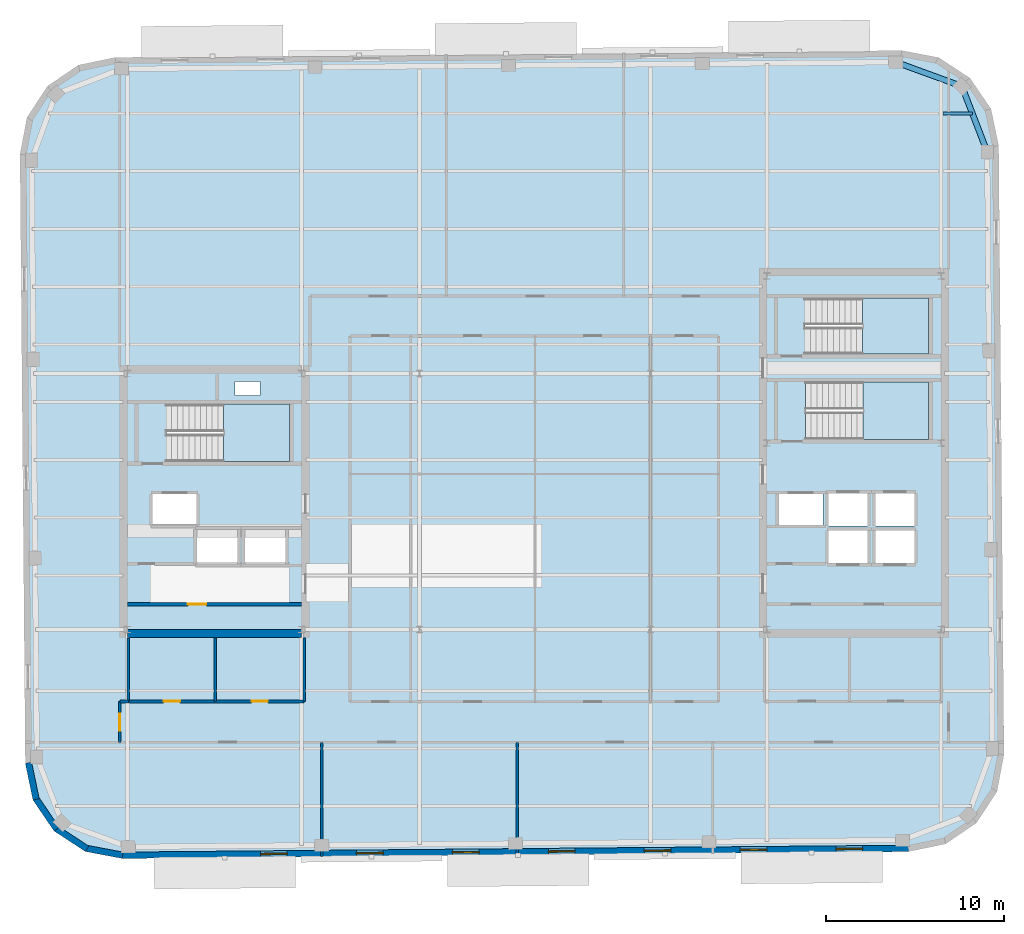
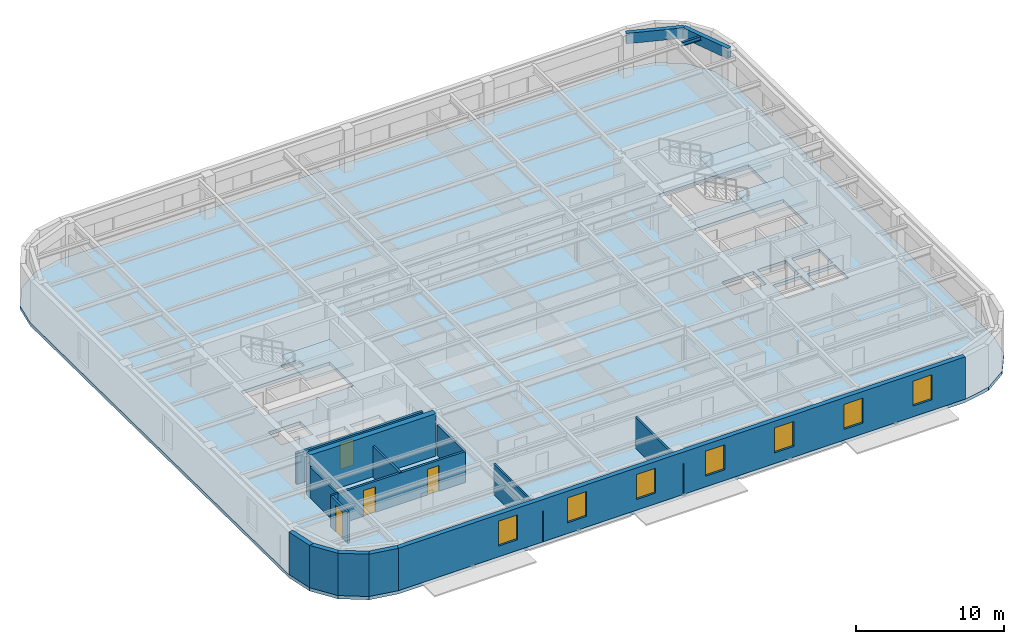
# One storey, part 6 of 14: 15 walls, 7 windows, 4 doors, 4 slabs, 3 beams, 11 openings, 3 elements without a shape of their own.
"""IFC4 building model written with IfcOpenShell, lengths in metres."""

from ifc_helpers import new_model, si_unit, direction, frame, frame_2d, origin, origin_2d, place, context, subcontext, project, spatial, polyline, rectangle, hollow_rectangle, i_section, outline, extrude, material, layer, layer_set, material_profile, profile_set, type_object, element, fill, aggregate, save


model = new_model("IFC4")

# Units and contexts
model_context = context("Model", 3, precision=1e-05, world=origin(), true_north=direction((0.0, 1.0)))
body_context = subcontext(model_context, "Body", "Model", "MODEL_VIEW")
ifc_project = project(units=[si_unit("LENGTHUNIT", "METRE"), si_unit("AREAUNIT", "SQUARE_METRE"), si_unit("VOLUMEUNIT", "CUBIC_METRE"), si_unit("PLANEANGLEUNIT", "RADIAN"), si_unit("MASSUNIT", "GRAM", prefix="KILO")], contexts=[model_context])

# Site, building, storey
site_placement = place(None, origin())
site = spatial("IfcSite", under=ifc_project, at=site_placement, CompositionType="ELEMENT")
building_placement = place(site_placement, origin())
building = spatial("IfcBuilding", under=site, at=building_placement, Name="Kolvaren Arena Tower", CompositionType="ELEMENT")
storey_placement = place(building_placement, frame((0.0, 0.0, 289.89990234375)))
storey = spatial("IfcBuildingStorey", under=building, at=storey_placement, Name="L71", CompositionType="ELEMENT", Elevation=289.89990234375)

# Beams
ifc_material_1 = material(Name="Steel CSA G40.21 350W", Category="steel")
ifc_material_profile_1 = material_profile(ifc_material_1, i_section(OverallWidth=0.1669921875, OverallDepth=0.31689453125, WebThickness=0.007568359375, FlangeThickness=0.01318359375, FilletRadius=0.010009765625, at=origin_2d()), Name="W310x52")
ifc_profile_set_1 = profile_set([ifc_material_profile_1], Name="Steel CSA G40.21 350W")
beam_type_1 = type_object("IfcBeamType", Name="JOIST-02", PredefinedType="JOIST", material=ifc_profile_set_1)
beam_placement = place(storey_placement, frame((60.464111328125, 48.5, 3.321533203125), z_axis=(1.0, 0.0, 0.0), x_axis=(0.0, 1.0, 0.0)))
element("IfcBeam", 1, at=beam_placement, inside=storey, type_object=beam_type_1, Name="Composite Floor Joist (L71)", PredefinedType="JOIST", context=body_context, shape_type="SweptSolid", body=[
    extrude(i_section(OverallWidth=0.1669921875, OverallDepth=0.31689453125, WebThickness=0.007568359375, FlangeThickness=0.01318359375, FilletRadius=0.010009765625, at=origin_2d()), origin(), (0.0, 0.0, 1.0), 1.654296875),
])
ifc_material_2 = material(Name="Steel CSA G40.21 350WT", Category="steel")
ifc_material_profile_2 = material_profile(ifc_material_2, hollow_rectangle(XDim=0.320068359375, YDim=0.860107421875, WallThickness=0.01806640625, at=origin_2d()), Name="HSS 860x320x18")
ifc_profile_set_2 = profile_set([ifc_material_profile_2], Name="Steel CSA G40.21 350WT")
beam_type_2 = type_object("IfcBeamType", Name="SPAND-02", PredefinedType="SPANDREL", material=ifc_profile_set_2)
for number, where, z_axis, x_axis, name in (
    (2, (62.952392578125, 46.333984375, 3.050048828125), (-0.359383792094, 0.933189846698, 0.0), (-0.933189846698, -0.359383792094, 0.0), "Perimeter Spandrel Beam (L71)"),
    (3, (61.52880859375, 50.030517578125, 3.050048828125), (-0.939313819882, 0.343059102458, 0.0), (-0.343059102458, -0.939313819882, 0.0), "Perimeter Spandrel Beam (L71)"),
):
    element("IfcBeam", number, at=place(storey_placement, frame(where, z_axis=z_axis, x_axis=x_axis)), inside=storey, type_object=beam_type_2, Name=name, PredefinedType="SPANDREL", context=body_context, shape_type="SweptSolid", body=[
        extrude(hollow_rectangle(XDim=0.320068359375, YDim=0.860107421875, WallThickness=0.01806640625, at=origin_2d()), origin(), (0.0, 0.0, 1.0), 3.961181640625),
    ])

# Stair, slab
ifc_material_3 = material(Name="Concrete 45 MPa", Category="concrete")
stair_type_1 = type_object("IfcStairType", Name="STAIR-CORE-165", PredefinedType="HALF_TURN_STAIR", material=ifc_material_3)
stair_1_placement = place(storey_placement, origin())
stair_1 = element("IfcStair", 4, at=stair_1_placement, inside=storey, type_object=stair_type_1, Name="L71 ST-W1", PredefinedType="HALF_TURN_STAIR")
ifc_layer_1 = layer(ifc_material_3, 0.199951171875)
ifc_layer_set_1 = layer_set([ifc_layer_1], Name="Concrete 45 MPa")
slab_type_1 = type_object("IfcSlabType", Name="SLAB-LAND", PredefinedType="LANDING", material=ifc_layer_set_1)
slab_1_placement = place(storey_placement, frame((0.0, 0.0, 1.675048828125)))
slab_1 = element("IfcSlab", 5, at=slab_1_placement, type_object=slab_type_1, Name="ST-W1 landing 1", PredefinedType="LANDING", context=body_context, shape_type="SweptSolid", body=[
    extrude(outline(polyline([(19.9599609375, 28.89990234375), (23.659912109375, 28.89990234375), (23.659912109375, 32.1298828125), (19.9599609375, 32.1298828125), (19.9599609375, 28.89990234375)])), origin(), (0.0, 0.0, 1.0), 0.199951171875),
])
aggregate(stair_1, [slab_1])

stair_2_placement = place(storey_placement, origin())
stair_2 = element("IfcStair", 6, at=stair_2_placement, inside=storey, type_object=stair_type_1, Name="L71 ST-E1", PredefinedType="HALF_TURN_STAIR")
slab_2_placement = place(storey_placement, frame((0.0, 0.0, 1.675048828125)))
slab_2 = element("IfcSlab", 7, at=slab_2_placement, type_object=slab_type_1, Name="ST-E1 landing 1", PredefinedType="LANDING", context=body_context, shape_type="SweptSolid", body=[
    extrude(outline(polyline([(55.9599609375, 30.14990234375), (59.659912109375, 30.14990234375), (59.659912109375, 33.3798828125), (55.9599609375, 33.3798828125), (55.9599609375, 30.14990234375)])), origin(), (0.0, 0.0, 1.0), 0.199951171875),
])
aggregate(stair_2, [slab_2])

stair_type_2 = type_object("IfcStairType", Name="STAIR-CORE-150", PredefinedType="HALF_TURN_STAIR", material=ifc_material_3)
stair_3_placement = place(storey_placement, origin())
stair_3 = element("IfcStair", 8, at=stair_3_placement, inside=storey, type_object=stair_type_2, Name="L71 ST-E2", PredefinedType="HALF_TURN_STAIR")
slab_3_placement = place(storey_placement, frame((0.0, 0.0, 1.675048828125)))
slab_3 = element("IfcSlab", 9, at=slab_3_placement, type_object=slab_type_1, Name="ST-E2 landing 1", PredefinedType="LANDING", context=body_context, shape_type="SweptSolid", body=[
    extrude(outline(polyline([(55.919921875, 34.949951171875), (59.659912109375, 34.949951171875), (59.659912109375, 38.10009765625), (55.919921875, 38.10009765625), (55.919921875, 34.949951171875)])), origin(), (0.0, 0.0, 1.0), 0.199951171875),
])
aggregate(stair_3, [slab_3])

# Slab
ifc_layer_2 = layer(ifc_material_3, 0.27001953125)
ifc_layer_set_2 = layer_set([ifc_layer_2], Name="Concrete 45 MPa")
slab_type_2 = type_object("IfcSlabType", Name="SLAB-OFF2", PredefinedType="FLOOR", material=ifc_layer_set_2)
slab_4_placement = place(storey_placement, frame((0.0, 0.0, -0.27001953125)))
element("IfcSlab", 10, at=slab_4_placement, inside=storey, type_object=slab_type_2, Name="L71 Primary Structural Slab", PredefinedType="FLOOR", context=body_context, shape_type="SweptSolid", body=[
    extrude(outline(polyline([(58.5458984375, 6.944091796875), (60.60888671875, 7.373291015625), (62.350341796875, 8.55908203125), (63.505615234375, 10.321044921875), (63.898681640625, 12.39111328125), (63.599365234375, 46.689697265625), (63.170166015625, 48.752685546875), (61.984375, 50.494140625), (60.222412109375, 51.6494140625), (58.15234375, 52.04248046875), (13.85400390625, 51.65576171875), (11.791259765625, 51.226806640625), (10.049560546875, 50.041015625), (8.894287109375, 48.27880859375), (8.50146484375, 46.208984375), (8.80078125, 11.91015625), (9.229736328125, 9.847412109375), (10.41552734375, 8.105712890625), (12.177490234375, 6.95068359375), (14.24755859375, 6.5576171875), (58.5458984375, 6.944091796875)]), holes=[polyline([(20.739990234375, 23.135009765625), (18.4599609375, 23.135009765625), (18.4599609375, 25.06494140625), (20.739990234375, 25.06494140625), (20.739990234375, 23.135009765625)]), polyline([(21.159912109375, 23.135009765625), (21.159912109375, 25.06494140625), (23.43994140625, 25.06494140625), (23.43994140625, 23.135009765625), (21.159912109375, 23.135009765625)]), polyline([(56.2099609375, 23.18505859375), (54.030029296875, 23.18505859375), (54.030029296875, 25.014892578125), (56.2099609375, 25.014892578125), (56.2099609375, 23.18505859375)]), polyline([(56.669921875, 23.18505859375), (56.669921875, 25.014892578125), (58.85009765625, 25.014892578125), (58.85009765625, 23.18505859375), (56.669921875, 23.18505859375)]), polyline([(54.030029296875, 25.284912109375), (54.030029296875, 27.114990234375), (56.2099609375, 27.114990234375), (56.2099609375, 25.284912109375), (54.030029296875, 25.284912109375)]), polyline([(58.85009765625, 25.284912109375), (56.669921875, 25.284912109375), (56.669921875, 27.114990234375), (58.85009765625, 27.114990234375), (58.85009765625, 25.284912109375)]), polyline([(15.9599609375, 25.3349609375), (15.9599609375, 27.06494140625), (18.43994140625, 27.06494140625), (18.43994140625, 25.3349609375), (15.9599609375, 25.3349609375)]), polyline([(53.699951171875, 25.3349609375), (51.219970703125, 25.3349609375), (51.219970703125, 27.06494140625), (53.699951171875, 27.06494140625), (53.699951171875, 25.3349609375)]), polyline([(16.735107421875, 28.89990234375), (16.735107421875, 32.1298828125), (23.659912109375, 32.1298828125), (23.659912109375, 28.89990234375), (16.735107421875, 28.89990234375)]), polyline([(52.735107421875, 30.14990234375), (52.735107421875, 33.3798828125), (59.659912109375, 33.3798828125), (59.659912109375, 30.14990234375), (52.735107421875, 30.14990234375)]), polyline([(20.60009765625, 32.6201171875), (20.60009765625, 33.39990234375), (22.0, 33.39990234375), (22.0, 32.6201171875), (20.60009765625, 32.6201171875)]), polyline([(52.695068359375, 34.949951171875), (52.695068359375, 38.10009765625), (59.659912109375, 38.10009765625), (59.659912109375, 34.949951171875), (52.695068359375, 34.949951171875)])]), origin(), (0.0, 0.0, 1.0), 0.27001953125),
])

# Wall, opening, door
ifc_material_4 = material(Name="Gypsum board acoustic assembly", Category="gypsum")
ifc_layer_3 = layer(ifc_material_4, 0.159912109375)
ifc_layer_set_3 = layer_set([ifc_layer_3], Name="Gypsum board acoustic assembly")
wall_type_1 = type_object("IfcWallType", Name="CORR-160", PredefinedType="PARTITIONING", material=ifc_layer_set_3)
wall_1_placement = place(storey_placement, frame((14.1201171875, 13.10009765625, 0.0), z_axis=(0.0, 0.0, 1.0), x_axis=(0.0, 1.0, 0.0)))
wall_1 = element("IfcWall", 11, at=wall_1_placement, inside=storey, type_object=wall_type_1, Name="Interior Partition Wall (L71)", PredefinedType="PARTITIONING", context=body_context, shape_type="SweptSolid", body=[
    extrude(rectangle(XDim=2.2998046875, YDim=0.159912109375, at=frame_2d((1.14990234375, 0.0))), origin(), (0.0, 0.0, 1.0), 2.5400390625),
])
opening_1_placement = place(wall_1_placement, frame((0.64990234375, 0.0, 0.0)))
opening_1 = element("IfcOpeningElement", 12, at=opening_1_placement, cuts=wall_1, Name="Opening D05", PredefinedType="OPENING", context=body_context, shape_type="SweptSolid", body=[
    extrude(rectangle(XDim=0.949951171875, YDim=2.14990234375, at=frame_2d((0.47509765625, 1.074951171875))), frame((0.0, 0.08984375, 0.0), z_axis=(0.0, -1.0, 0.0), x_axis=(1.0, 0.0, 0.0)), (0.0, 0.0, 1.0), 0.179931640625),
])
ifc_material_5 = material(Name="Solid-core oak acoustic office door", Category="wood")
door_type_1 = type_object("IfcDoorType", Name="DOOR-OF-095", OperationType="NOTDEFINED", PredefinedType="DOOR", material=ifc_material_5)
door_1_placement = place(opening_1_placement, origin())
door_1 = element("IfcDoor", 13, at=door_1_placement, inside=storey, type_object=door_type_1, Name="West Wing Office Door (L71)", OperationType="SINGLE_SWING_LEFT", OverallHeight=2.14990234375, OverallWidth=0.949951171875, PredefinedType="DOOR", context=body_context, shape_type="SweptSolid", body=[
    extrude(rectangle(XDim=0.949951171875, YDim=2.14990234375, at=frame_2d((0.47509765625, 1.074951171875))), frame((0.0, 0.02490234375, 0.0), z_axis=(0.0, -1.0, 0.0), x_axis=(1.0, 0.0, 0.0)), (0.0, 0.0, 1.0), 0.050048828125),
])
fill(opening_1, door_1)

# Walls
wall_2_placement = place(storey_placement, frame((14.1201171875, 15.39990234375, 0.0), z_axis=(0.0, 0.0, 1.0), x_axis=(1.0, 0.0, 0.0)))
element("IfcWall", 14, at=wall_2_placement, inside=storey, type_object=wall_type_1, Name="Interior Partition Wall (L71)", PredefinedType="PARTITIONING", context=body_context, shape_type="SweptSolid", body=[
    extrude(rectangle(XDim=0.5, YDim=0.159912109375, at=frame_2d((0.25, 0.0))), origin(), (0.0, 0.0, 1.0), 2.5400390625),
])
ifc_material_6 = material(Name="Concrete 55 MPa", Category="concrete")
ifc_layer_4 = layer(ifc_material_6, 0.449951171875)
ifc_layer_set_4 = layer_set([ifc_layer_4], Name="Concrete 55 MPa")
wall_type_2 = type_object("IfcWallType", Name="CWALL-450", PredefinedType="SHEAR", material=ifc_layer_set_4)
wall_3_placement = place(storey_placement, frame((14.550048828125, 19.22509765625, -0.27001953125), z_axis=(0.0, 0.0, 1.0), x_axis=(1.0, 0.0, 0.0)))
element("IfcWall", 15, at=wall_3_placement, inside=storey, type_object=wall_type_2, Name="Core Shear Wall WC-SOUTH (L71)", PredefinedType="SHEAR", context=body_context, shape_type="SweptSolid", body=[
    extrude(rectangle(XDim=9.800048828125, YDim=0.449951171875, at=frame_2d((4.89990234375, 0.0))), origin(), (0.0, 0.0, 1.0), 3.75),
])
ifc_material_7 = material(Name="Precast concrete C50/60", Category="concrete")
ifc_layer_5 = layer(ifc_material_7, 0.360107421875)
ifc_layer_set_5 = layer_set([ifc_layer_5], Name="Precast concrete C50/60")
wall_type_3 = type_object("IfcWallType", Name="EXT-PIER2", PredefinedType="SOLIDWALL", material=ifc_layer_set_5)
wall_4_placement = place(storey_placement, frame((9.406005859375, 9.884033203125, 0.0), z_axis=(0.0, 0.0, 1.0), x_axis=(-0.203685893209, 0.979036289883, 0.0)))
element("IfcWall", 16, at=wall_4_placement, inside=storey, type_object=wall_type_3, Name="Exterior Precast Masonry-Frame Wall (L71)", PredefinedType="SOLIDWALL", context=body_context, shape_type="SweptSolid", body=[
    extrude(rectangle(XDim=2.107177734375, YDim=0.360107421875, at=frame_2d((1.0537109375, 0.0))), origin(), (0.0, 0.0, 1.0), 3.47998046875),
])
for number, where, z_axis, x_axis, name in (
    (17, (10.564453125, 8.20703125, 0.0), (0.0, 0.0, 1.0), (-0.56277581689, 0.826609569219, 0.0), "Exterior Precast Masonry-Frame Wall (L71)"),
    (18, (12.2763671875, 7.10107421875, 0.0), (0.0, 0.0, 1.0), (-0.836268756678, 0.548319766745, 0.0), "Exterior Precast Masonry-Frame Wall (L71)"),
):
    element("IfcWall", number, at=place(storey_placement, frame(where, z_axis=z_axis, x_axis=x_axis)), inside=storey, type_object=wall_type_3, Name=name, PredefinedType="SOLIDWALL", context=body_context, shape_type="SweptSolid", body=[
        extrude(rectangle(XDim=2.10693359375, YDim=0.360107421875, at=frame_2d((1.053466796875, 0.0))), origin(), (0.0, 0.0, 1.0), 3.47998046875),
    ])
wall_5_placement = place(storey_placement, frame((14.28125, 6.734375, 0.0), z_axis=(0.0, 0.0, 1.0), x_axis=(-0.982445905584, 0.186547695246, 0.0)))
element("IfcWall", 19, at=wall_5_placement, inside=storey, type_object=wall_type_3, Name="Exterior Precast Masonry-Frame Wall (L71)", PredefinedType="SOLIDWALL", context=body_context, shape_type="SweptSolid", body=[
    extrude(rectangle(XDim=2.107177734375, YDim=0.360107421875, at=frame_2d((1.0537109375, 0.0))), origin(), (0.0, 0.0, 1.0), 3.47998046875),
])

# Wall, openings, windows
wall_6_placement = place(storey_placement, frame((58.544189453125, 7.124267578125, 0.0), z_axis=(0.0, 0.0, 1.0), x_axis=(-0.999961896442, -0.008729585516, 0.0)))
wall_6 = element("IfcWall", 20, at=wall_6_placement, inside=storey, type_object=wall_type_3, Name="Exterior Precast Masonry-Frame Wall (L71)", PredefinedType="SOLIDWALL", context=body_context, shape_type="SweptSolid", body=[
    extrude(rectangle(XDim=44.2998046875, YDim=0.360107421875, at=frame_2d((22.14990234375, 0.0))), origin(), (0.0, 0.0, 1.0), 3.47998046875),
])
opening_2_placement = place(wall_6_placement, frame((2.60009765625, 0.0, 0.8798828125)))
opening_2 = element("IfcOpeningElement", 21, at=opening_2_placement, cuts=wall_6, Name="Opening W03", PredefinedType="OPENING", context=body_context, shape_type="SweptSolid", body=[
    extrude(rectangle(XDim=1.5, YDim=2.050048828125, at=frame_2d((0.75, 1.02490234375))), frame((0.0, 0.18994140625, 0.0), z_axis=(0.0, -1.0, 0.0), x_axis=(1.0, 0.0, 0.0)), (0.0, 0.0, 1.0), 0.380126953125),
])
opening_3_placement = place(wall_6_placement, frame((8.0, 0.0, 0.8798828125)))
opening_3 = element("IfcOpeningElement", 22, at=opening_3_placement, cuts=wall_6, Name="Opening W03", PredefinedType="OPENING", context=body_context, shape_type="SweptSolid", body=[
    extrude(rectangle(XDim=1.5, YDim=2.050048828125, at=frame_2d((0.75, 1.02490234375))), frame((0.0, 0.18994140625, 0.0), z_axis=(0.0, -1.0, 0.0), x_axis=(1.0, 0.0, 0.0)), (0.0, 0.0, 1.0), 0.380126953125),
])
opening_4_placement = place(wall_6_placement, frame((13.39990234375, 0.0, 0.8798828125)))
opening_4 = element("IfcOpeningElement", 23, at=opening_4_placement, cuts=wall_6, Name="Opening W03", PredefinedType="OPENING", context=body_context, shape_type="SweptSolid", body=[
    extrude(rectangle(XDim=1.5, YDim=2.050048828125, at=frame_2d((0.75, 1.02490234375))), frame((0.0, 0.18994140625, 0.0), z_axis=(0.0, -1.0, 0.0), x_axis=(1.0, 0.0, 0.0)), (0.0, 0.0, 1.0), 0.380126953125),
])
opening_5_placement = place(wall_6_placement, frame((18.800048828125, 0.0, 0.8798828125)))
opening_5 = element("IfcOpeningElement", 24, at=opening_5_placement, cuts=wall_6, Name="Opening W03", PredefinedType="OPENING", context=body_context, shape_type="SweptSolid", body=[
    extrude(rectangle(XDim=1.5, YDim=2.050048828125, at=frame_2d((0.75, 1.02490234375))), frame((0.0, 0.18994140625, 0.0), z_axis=(0.0, -1.0, 0.0), x_axis=(1.0, 0.0, 0.0)), (0.0, 0.0, 1.0), 0.380126953125),
])
opening_6_placement = place(wall_6_placement, frame((24.199951171875, 0.0, 0.8798828125)))
opening_6 = element("IfcOpeningElement", 25, at=opening_6_placement, cuts=wall_6, Name="Opening W03", PredefinedType="OPENING", context=body_context, shape_type="SweptSolid", body=[
    extrude(rectangle(XDim=1.5, YDim=2.050048828125, at=frame_2d((0.75, 1.02490234375))), frame((0.0, 0.18994140625, 0.0), z_axis=(0.0, -1.0, 0.0), x_axis=(1.0, 0.0, 0.0)), (0.0, 0.0, 1.0), 0.380126953125),
])
opening_7_placement = place(wall_6_placement, frame((29.60009765625, 0.0, 0.8798828125)))
opening_7 = element("IfcOpeningElement", 26, at=opening_7_placement, cuts=wall_6, Name="Opening W03", PredefinedType="OPENING", context=body_context, shape_type="SweptSolid", body=[
    extrude(rectangle(XDim=1.5, YDim=2.050048828125, at=frame_2d((0.75, 1.02490234375))), frame((0.0, 0.18994140625, 0.0), z_axis=(0.0, -1.0, 0.0), x_axis=(1.0, 0.0, 0.0)), (0.0, 0.0, 1.0), 0.380126953125),
])
opening_8_placement = place(wall_6_placement, frame((35.0, 0.0, 0.8798828125)))
opening_8 = element("IfcOpeningElement", 27, at=opening_8_placement, cuts=wall_6, Name="Opening W03", PredefinedType="OPENING", context=body_context, shape_type="SweptSolid", body=[
    extrude(rectangle(XDim=1.5, YDim=2.050048828125, at=frame_2d((0.75, 1.02490234375))), frame((0.0, 0.18994140625, 0.0), z_axis=(0.0, -1.0, 0.0), x_axis=(1.0, 0.0, 0.0)), (0.0, 0.0, 1.0), 0.380126953125),
])
ifc_material_8 = material(Name="Triple-glazed low-E aluminium window", Category="aluminium")
window_type = type_object("IfcWindowType", Name="WIN-OFF-C", PartitioningType="SINGLE_PANEL", PredefinedType="WINDOW", material=ifc_material_8)
window_1_placement = place(opening_2_placement, origin())
window_1 = element("IfcWindow", 28, at=window_1_placement, inside=storey, type_object=window_type, Name="Punched Precast-Pier Window (L71)", OverallHeight=2.050048828125, OverallWidth=1.5, PartitioningType="SINGLE_PANEL", PredefinedType="WINDOW", context=body_context, shape_type="SweptSolid", body=[
    extrude(rectangle(XDim=1.5, YDim=2.050048828125, at=frame_2d((0.75, 1.02490234375))), frame((0.0, 0.030029296875, 0.0), z_axis=(0.0, -1.0, 0.0), x_axis=(1.0, 0.0, 0.0)), (0.0, 0.0, 1.0), 0.06005859375),
])
fill(opening_2, window_1)
window_2_placement = place(opening_3_placement, origin())
window_2 = element("IfcWindow", 29, at=window_2_placement, inside=storey, type_object=window_type, Name="Punched Precast-Pier Window (L71)", OverallHeight=2.050048828125, OverallWidth=1.5, PartitioningType="SINGLE_PANEL", PredefinedType="WINDOW", context=body_context, shape_type="SweptSolid", body=[
    extrude(rectangle(XDim=1.5, YDim=2.050048828125, at=frame_2d((0.75, 1.02490234375))), frame((0.0, 0.030029296875, 0.0), z_axis=(0.0, -1.0, 0.0), x_axis=(1.0, 0.0, 0.0)), (0.0, 0.0, 1.0), 0.06005859375),
])
fill(opening_3, window_2)
window_3_placement = place(opening_4_placement, origin())
window_3 = element("IfcWindow", 30, at=window_3_placement, inside=storey, type_object=window_type, Name="Punched Precast-Pier Window (L71)", OverallHeight=2.050048828125, OverallWidth=1.5, PartitioningType="SINGLE_PANEL", PredefinedType="WINDOW", context=body_context, shape_type="SweptSolid", body=[
    extrude(rectangle(XDim=1.5, YDim=2.050048828125, at=frame_2d((0.75, 1.02490234375))), frame((0.0, 0.030029296875, 0.0), z_axis=(0.0, -1.0, 0.0), x_axis=(1.0, 0.0, 0.0)), (0.0, 0.0, 1.0), 0.06005859375),
])
fill(opening_4, window_3)
window_4_placement = place(opening_5_placement, origin())
window_4 = element("IfcWindow", 31, at=window_4_placement, inside=storey, type_object=window_type, Name="Punched Precast-Pier Window (L71)", OverallHeight=2.050048828125, OverallWidth=1.5, PartitioningType="SINGLE_PANEL", PredefinedType="WINDOW", context=body_context, shape_type="SweptSolid", body=[
    extrude(rectangle(XDim=1.5, YDim=2.050048828125, at=frame_2d((0.75, 1.02490234375))), frame((0.0, 0.030029296875, 0.0), z_axis=(0.0, -1.0, 0.0), x_axis=(1.0, 0.0, 0.0)), (0.0, 0.0, 1.0), 0.06005859375),
])
fill(opening_5, window_4)
window_5_placement = place(opening_6_placement, origin())
window_5 = element("IfcWindow", 32, at=window_5_placement, inside=storey, type_object=window_type, Name="Punched Precast-Pier Window (L71)", OverallHeight=2.050048828125, OverallWidth=1.5, PartitioningType="SINGLE_PANEL", PredefinedType="WINDOW", context=body_context, shape_type="SweptSolid", body=[
    extrude(rectangle(XDim=1.5, YDim=2.050048828125, at=frame_2d((0.75, 1.02490234375))), frame((0.0, 0.030029296875, 0.0), z_axis=(0.0, -1.0, 0.0), x_axis=(1.0, 0.0, 0.0)), (0.0, 0.0, 1.0), 0.06005859375),
])
fill(opening_6, window_5)
window_6_placement = place(opening_7_placement, origin())
window_6 = element("IfcWindow", 33, at=window_6_placement, inside=storey, type_object=window_type, Name="Punched Precast-Pier Window (L71)", OverallHeight=2.050048828125, OverallWidth=1.5, PartitioningType="SINGLE_PANEL", PredefinedType="WINDOW", context=body_context, shape_type="SweptSolid", body=[
    extrude(rectangle(XDim=1.5, YDim=2.050048828125, at=frame_2d((0.75, 1.02490234375))), frame((0.0, 0.030029296875, 0.0), z_axis=(0.0, -1.0, 0.0), x_axis=(1.0, 0.0, 0.0)), (0.0, 0.0, 1.0), 0.06005859375),
])
fill(opening_7, window_6)
window_7_placement = place(opening_8_placement, origin())
window_7 = element("IfcWindow", 34, at=window_7_placement, inside=storey, type_object=window_type, Name="Punched Precast-Pier Window (L71)", OverallHeight=2.050048828125, OverallWidth=1.5, PartitioningType="SINGLE_PANEL", PredefinedType="WINDOW", context=body_context, shape_type="SweptSolid", body=[
    extrude(rectangle(XDim=1.5, YDim=2.050048828125, at=frame_2d((0.75, 1.02490234375))), frame((0.0, 0.030029296875, 0.0), z_axis=(0.0, -1.0, 0.0), x_axis=(1.0, 0.0, 0.0)), (0.0, 0.0, 1.0), 0.06005859375),
])
fill(opening_8, window_7)

# Wall, opening, door
ifc_material_9 = material(Name="Concrete 40 MPa", Category="concrete")
ifc_layer_6 = layer(ifc_material_9, 0.199951171875)
ifc_layer_set_6 = layer_set([ifc_layer_6], Name="Concrete 40 MPa")
wall_type_4 = type_object("IfcWallType", Name="LOBBY-200", PredefinedType="SOLIDWALL", material=ifc_layer_set_6)
wall_7_placement = place(storey_placement, frame((14.550048828125, 20.8798828125, 0.0), z_axis=(0.0, 0.0, 1.0), x_axis=(1.0, 0.0, 0.0)))
wall_7 = element("IfcWall", 35, at=wall_7_placement, inside=storey, type_object=wall_type_4, Name="Core Shaft Wall (L71)", PredefinedType="SOLIDWALL", context=body_context, shape_type="SweptSolid", body=[
    extrude(rectangle(XDim=9.800048828125, YDim=0.199951171875, at=frame_2d((4.89990234375, 0.0))), origin(), (0.0, 0.0, 1.0), 2.5400390625),
])
opening_9_placement = place(wall_7_placement, frame((3.39990234375, 0.0, 0.0)))
opening_9 = element("IfcOpeningElement", 36, at=opening_9_placement, cuts=wall_7, Name="Opening D04", PredefinedType="OPENING", context=body_context, shape_type="SweptSolid", body=[
    extrude(rectangle(XDim=1.050048828125, YDim=2.14990234375, at=frame_2d((0.52490234375, 1.074951171875))), frame((0.0, 0.10986328125, 0.0), z_axis=(0.0, -1.0, 0.0), x_axis=(1.0, 0.0, 0.0)), (0.0, 0.0, 1.0), 0.219970703125),
])
ifc_material_10 = material(Name="Fire-rated steel lobby door", Category="steel")
door_type_2 = type_object("IfcDoorType", Name="DOOR-FF-105", OperationType="NOTDEFINED", PredefinedType="DOOR", material=ifc_material_10)
door_2_placement = place(opening_9_placement, origin())
door_2 = element("IfcDoor", 37, at=door_2_placement, inside=storey, type_object=door_type_2, Name="West IT Room Fire Door (L71)", OperationType="SINGLE_SWING_LEFT", OverallHeight=2.14990234375, OverallWidth=1.050048828125, PredefinedType="DOOR", context=body_context, shape_type="SweptSolid", body=[
    extrude(rectangle(XDim=1.050048828125, YDim=2.14990234375, at=frame_2d((0.52490234375, 1.074951171875))), frame((0.0, 0.02490234375, 0.0), z_axis=(0.0, -1.0, 0.0), x_axis=(1.0, 0.0, 0.0)), (0.0, 0.0, 1.0), 0.050048828125),
])
fill(opening_9, door_2)

# Walls
ifc_material_11 = material(Name="Gypsum board partition assembly", Category="gypsum")
ifc_layer_7 = layer(ifc_material_11, 0.135009765625)
ifc_layer_set_7 = layer_set([ifc_layer_7], Name="Gypsum board partition assembly")
wall_type_5 = type_object("IfcWallType", Name="PART-135", PredefinedType="PARTITIONING", material=ifc_layer_set_7)
wall_8_placement = place(storey_placement, frame((25.5, 6.65576171875, 0.0), z_axis=(0.0, 0.0, 1.0), x_axis=(0.0, 1.0, 0.0)))
element("IfcWall", 38, at=wall_8_placement, inside=storey, type_object=wall_type_5, Name="Interior Partition Wall (L71)", PredefinedType="PARTITIONING", context=body_context, shape_type="SweptSolid", body=[
    extrude(rectangle(XDim=6.4443359375, YDim=0.135009765625, at=frame_2d((3.22216796875, 0.0))), origin(), (0.0, 0.0, 1.0), 2.5400390625),
])
wall_9_placement = place(storey_placement, frame((36.5, 6.751708984375, 0.0), z_axis=(0.0, 0.0, 1.0), x_axis=(0.0, 1.0, 0.0)))
element("IfcWall", 39, at=wall_9_placement, inside=storey, type_object=wall_type_5, Name="Interior Partition Wall (L71)", PredefinedType="PARTITIONING", context=body_context, shape_type="SweptSolid", body=[
    extrude(rectangle(XDim=6.348388671875, YDim=0.135009765625, at=frame_2d((3.17431640625, 0.0))), origin(), (0.0, 0.0, 1.0), 2.5400390625),
])
ifc_material_12 = material(Name="Moisture-resistant gypsum assembly", Category="gypsum")
ifc_layer_8 = layer(ifc_material_12, 0.14990234375)
ifc_layer_set_8 = layer_set([ifc_layer_8], Name="Moisture-resistant gypsum assembly")
wall_type_6 = type_object("IfcWallType", Name="WETW-150", PredefinedType="PARTITIONING", material=ifc_layer_set_8)
wall_10_placement = place(storey_placement, frame((19.5, 15.39990234375, 0.0), z_axis=(0.0, 0.0, 1.0), x_axis=(0.0, 1.0, 0.0)))
element("IfcWall", 40, at=wall_10_placement, inside=storey, type_object=wall_type_6, Name="Interior Partition Wall (L71)", PredefinedType="PARTITIONING", context=body_context, shape_type="SweptSolid", body=[
    extrude(rectangle(XDim=3.580078125, YDim=0.14990234375, at=frame_2d((1.7900390625, 0.0))), origin(), (0.0, 0.0, 1.0), 2.5400390625),
])

# Wall, openings, doors
wall_11_placement = place(storey_placement, frame((14.60009765625, 15.39990234375, 0.0), z_axis=(0.0, 0.0, 1.0), x_axis=(1.0, 0.0, 0.0)))
wall_11 = element("IfcWall", 41, at=wall_11_placement, inside=storey, type_object=wall_type_6, Name="Interior Partition Wall (L71)", PredefinedType="PARTITIONING", context=body_context, shape_type="SweptSolid", body=[
    extrude(rectangle(XDim=9.89990234375, YDim=0.179931640625, at=frame_2d((4.949951171875, 0.0))), origin(), (0.0, 0.0, 1.0), 2.5400390625),
])
opening_10_placement = place(wall_11_placement, frame((1.989990234375, 0.0, 0.0)))
opening_10 = element("IfcOpeningElement", 42, at=opening_10_placement, cuts=wall_11, Name="Opening D07", PredefinedType="OPENING", context=body_context, shape_type="SweptSolid", body=[
    extrude(rectangle(XDim=0.919921875, YDim=2.10009765625, at=frame_2d((0.4599609375, 1.050048828125))), frame((0.0, 0.099853515625, 0.0), z_axis=(0.0, -1.0, 0.0), x_axis=(1.0, 0.0, 0.0)), (0.0, 0.0, 1.0), 0.199951171875),
])
opening_11_placement = place(wall_11_placement, frame((6.93994140625, 0.0, 0.0)))
opening_11 = element("IfcOpeningElement", 43, at=opening_11_placement, cuts=wall_11, Name="Opening D07", PredefinedType="OPENING", context=body_context, shape_type="SweptSolid", body=[
    extrude(rectangle(XDim=0.919921875, YDim=2.10009765625, at=frame_2d((0.4599609375, 1.050048828125))), frame((0.0, 0.099853515625, 0.0), z_axis=(0.0, -1.0, 0.0), x_axis=(1.0, 0.0, 0.0)), (0.0, 0.0, 1.0), 0.199951171875),
])
ifc_material_13 = material(Name="Laminate universal washroom door", Category="wood")
door_type_3 = type_object("IfcDoorType", Name="DOOR-WC-092", OperationType="NOTDEFINED", PredefinedType="DOOR", material=ifc_material_13)
door_3_placement = place(opening_10_placement, origin())
door_3 = element("IfcDoor", 44, at=door_3_placement, inside=storey, type_object=door_type_3, Name="Universal Barrier-Free Washroom Door (L71)", OperationType="SINGLE_SWING_LEFT", OverallHeight=2.10009765625, OverallWidth=0.919921875, PredefinedType="DOOR", context=body_context, shape_type="SweptSolid", body=[
    extrude(rectangle(XDim=0.919921875, YDim=2.10009765625, at=frame_2d((0.4599609375, 1.050048828125))), frame((0.0, 0.02490234375, 0.0), z_axis=(0.0, -1.0, 0.0), x_axis=(1.0, 0.0, 0.0)), (0.0, 0.0, 1.0), 0.050048828125),
])
fill(opening_10, door_3)
door_4_placement = place(opening_11_placement, origin())
door_4 = element("IfcDoor", 45, at=door_4_placement, inside=storey, type_object=door_type_3, Name="Gender-Neutral Washroom Door (L71)", OperationType="SINGLE_SWING_RIGHT", OverallHeight=2.10009765625, OverallWidth=0.919921875, PredefinedType="DOOR", context=body_context, shape_type="SweptSolid", body=[
    extrude(rectangle(XDim=0.919921875, YDim=2.10009765625, at=frame_2d((0.4599609375, 1.050048828125))), frame((0.0, 0.02490234375, 0.0), z_axis=(0.0, -1.0, 0.0), x_axis=(1.0, 0.0, 0.0)), (0.0, 0.0, 1.0), 0.050048828125),
])
fill(opening_11, door_4)

# Walls
for number, where, z_axis, x_axis, name in (
    (46, (14.60009765625, 15.39990234375, 0.0), (0.0, 0.0, 1.0), (0.0, 1.0, 0.0), "Interior Partition Wall (L71)"),
    (47, (24.5, 15.39990234375, 0.0), (0.0, 0.0, 1.0), (0.0, 1.0, 0.0), "Interior Partition Wall (L71)"),
):
    element("IfcWall", number, at=place(storey_placement, frame(where, z_axis=z_axis, x_axis=x_axis)), inside=storey, type_object=wall_type_6, Name=name, PredefinedType="PARTITIONING", context=body_context, shape_type="SweptSolid", body=[
        extrude(rectangle(XDim=3.580078125, YDim=0.14990234375, at=frame_2d((1.7900390625, 0.0))), origin(), (0.0, 0.0, 1.0), 2.5400390625),
    ])

save(model, "model.ifc")
